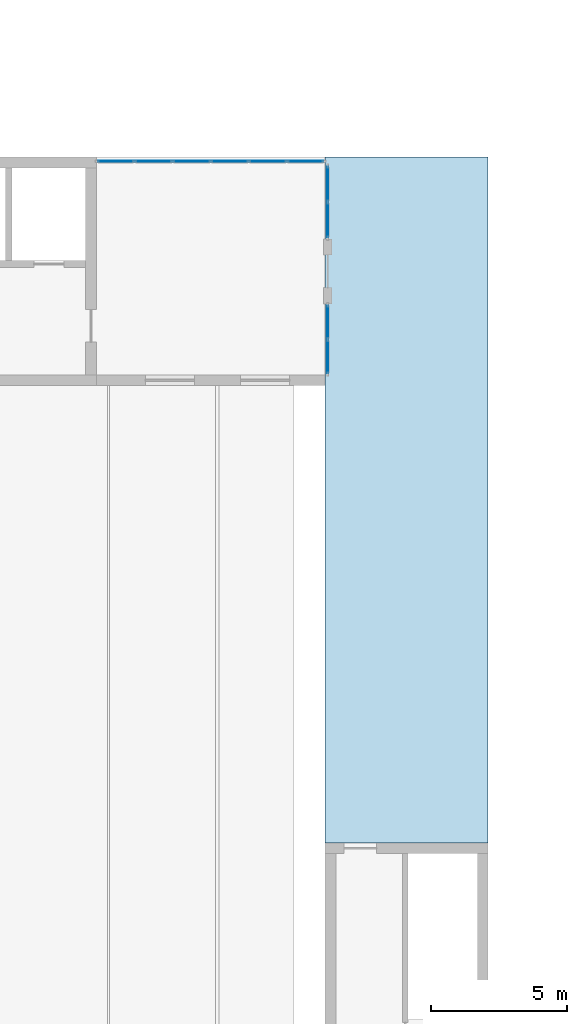
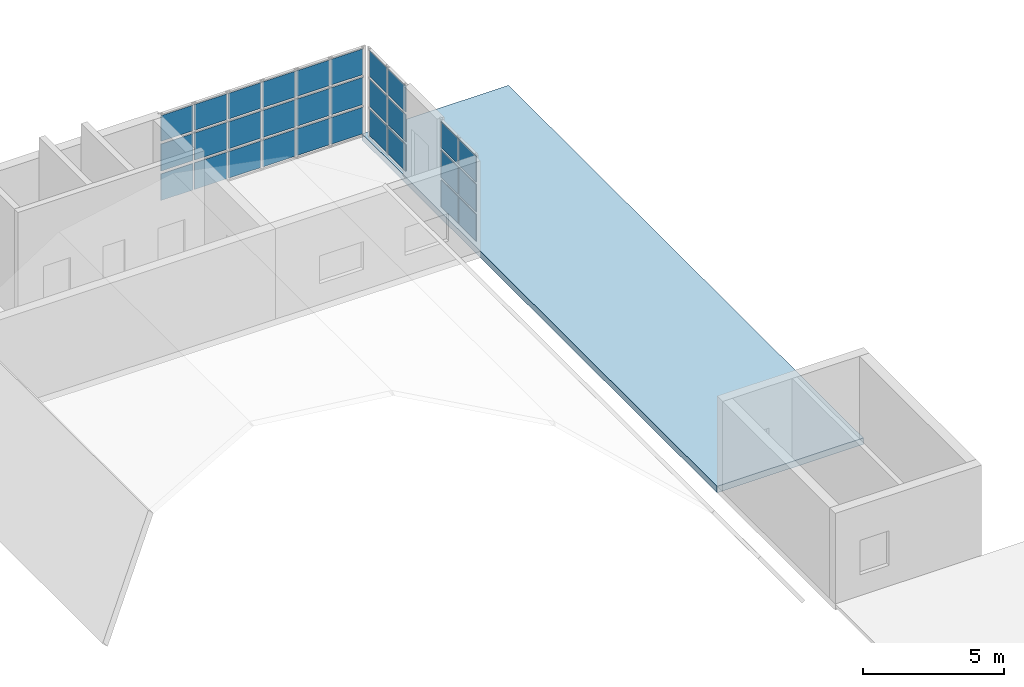
# One storey, part 57 of 100: 30 plates, 1 slab, 3 elements without a shape of their own.
"""IFC4 building model written with IfcOpenShell, lengths in metres."""

from ifc_helpers import new_model, si_unit, direction, frame, origin, origin_2d, place, context, subcontext, project, spatial, polyline, rectangle, outline, extrude, material, layer, layer_set, type_object, element, aggregate, save


model = new_model("IFC4")

# Units and contexts
model_context = context("Model", 3, precision=1e-05, world=origin(), true_north=direction((0.0, 1.0)))
body_context = subcontext(model_context, "Body", "Model", "MODEL_VIEW")
ifc_project = project(units=[si_unit("LENGTHUNIT", "METRE"), si_unit("AREAUNIT", "SQUARE_METRE"), si_unit("VOLUMEUNIT", "CUBIC_METRE"), si_unit("PLANEANGLEUNIT", "RADIAN"), si_unit("MASSUNIT", "GRAM", prefix="KILO")], contexts=[model_context])

# Site, building, storey
site_placement = place(None, origin())
site = spatial("IfcSite", under=ifc_project, at=site_placement, CompositionType="ELEMENT")
building_placement = place(site_placement, origin())
building = spatial("IfcBuilding", under=site, at=building_placement, Name="Cresset Court Congress Hotel", CompositionType="ELEMENT")
storey_placement = place(building_placement, frame((0.0, 0.0, 10.199951171875)))
storey = spatial("IfcBuildingStorey", under=building, at=storey_placement, Name="L02", CompositionType="ELEMENT", Elevation=10.199951171875)

# Curtain wall, plates
ifc_material_1 = material(Name="Aluminium frame with insulated glass", Category="aluminium")
curtain_wall_type_1 = type_object("IfcCurtainWallType", Name="Curtain wall module 1400", PredefinedType="NOTDEFINED", material=ifc_material_1)
curtain_wall_1_placement = place(storey_placement, origin())
curtain_wall_1 = element("IfcCurtainWall", 1, at=curtain_wall_1_placement, inside=storey, type_object=curtain_wall_type_1, Name="Curtain wall N", PredefinedType="NOTDEFINED")
ifc_material_2 = material(Name="Laminated glass", Category="glass")
ifc_layer_1 = layer(ifc_material_2, 0.028076171875)
ifc_layer_set_1 = layer_set([ifc_layer_1], Name="Curtain wall glass panel 28")
plate_type = type_object("IfcPlateType", Name="Curtain wall glass panel 28", PredefinedType="CURTAIN_PANEL", material=ifc_layer_set_1)
plate_1_placement = place(storey_placement, frame((143.514892578125, 109.050048828125, 0.1201171875), z_axis=(0.0, 0.0, 1.0), x_axis=(1.0, 0.0, 0.0)))
plate_1 = element("IfcPlate", 2, at=plate_1_placement, type_object=plate_type, Name="D-X2 panel 1.1", PredefinedType="CURTAIN_PANEL", context=body_context, shape_type="SweptSolid", body=[
    extrude(rectangle(XDim=1.31005859375, YDim=0.028076171875, at=origin_2d()), origin(), (0.0, 0.0, 1.0), 1.153076171875),
])
plate_2_placement = place(storey_placement, frame((143.514892578125, 109.050048828125, 1.39306640625), z_axis=(0.0, 0.0, 1.0), x_axis=(1.0, 0.0, 0.0)))
plate_2 = element("IfcPlate", 3, at=plate_2_placement, type_object=plate_type, Name="D-X2 panel 1.2", PredefinedType="CURTAIN_PANEL", context=body_context, shape_type="SweptSolid", body=[
    extrude(rectangle(XDim=1.31005859375, YDim=0.028076171875, at=origin_2d()), origin(), (0.0, 0.0, 1.0), 1.173095703125),
])
plate_3_placement = place(storey_placement, frame((143.514892578125, 109.050048828125, 2.68603515625), z_axis=(0.0, 0.0, 1.0), x_axis=(1.0, 0.0, 0.0)))
plate_3 = element("IfcPlate", 4, at=plate_3_placement, type_object=plate_type, Name="D-X2 panel 1.3", PredefinedType="CURTAIN_PANEL", context=body_context, shape_type="SweptSolid", body=[
    extrude(rectangle(XDim=1.31005859375, YDim=0.028076171875, at=origin_2d()), origin(), (0.0, 0.0, 1.0), 1.114013671875),
])
plate_4_placement = place(storey_placement, frame((144.89990234375, 109.050048828125, 0.1201171875), z_axis=(0.0, 0.0, 1.0), x_axis=(1.0, 0.0, 0.0)))
plate_4 = element("IfcPlate", 5, at=plate_4_placement, type_object=plate_type, Name="D-X2 panel 2.1", PredefinedType="CURTAIN_PANEL", context=body_context, shape_type="SweptSolid", body=[
    extrude(rectangle(XDim=1.340087890625, YDim=0.028076171875, at=origin_2d()), origin(), (0.0, 0.0, 1.0), 1.153076171875),
])
plate_5_placement = place(storey_placement, frame((144.89990234375, 109.050048828125, 1.39306640625), z_axis=(0.0, 0.0, 1.0), x_axis=(1.0, 0.0, 0.0)))
plate_5 = element("IfcPlate", 6, at=plate_5_placement, type_object=plate_type, Name="D-X2 panel 2.2", PredefinedType="CURTAIN_PANEL", context=body_context, shape_type="SweptSolid", body=[
    extrude(rectangle(XDim=1.340087890625, YDim=0.028076171875, at=origin_2d()), origin(), (0.0, 0.0, 1.0), 1.173095703125),
])
plate_6_placement = place(storey_placement, frame((144.89990234375, 109.050048828125, 2.68603515625), z_axis=(0.0, 0.0, 1.0), x_axis=(1.0, 0.0, 0.0)))
plate_6 = element("IfcPlate", 7, at=plate_6_placement, type_object=plate_type, Name="D-X2 panel 2.3", PredefinedType="CURTAIN_PANEL", context=body_context, shape_type="SweptSolid", body=[
    extrude(rectangle(XDim=1.340087890625, YDim=0.028076171875, at=origin_2d()), origin(), (0.0, 0.0, 1.0), 1.114013671875),
])
plate_7_placement = place(storey_placement, frame((146.300048828125, 109.050048828125, 0.1201171875), z_axis=(0.0, 0.0, 1.0), x_axis=(1.0, 0.0, 0.0)))
plate_7 = element("IfcPlate", 8, at=plate_7_placement, type_object=plate_type, Name="D-X2 panel 3.1", PredefinedType="CURTAIN_PANEL", context=body_context, shape_type="SweptSolid", body=[
    extrude(rectangle(XDim=1.340087890625, YDim=0.028076171875, at=origin_2d()), origin(), (0.0, 0.0, 1.0), 1.153076171875),
])
plate_8_placement = place(storey_placement, frame((146.300048828125, 109.050048828125, 1.39306640625), z_axis=(0.0, 0.0, 1.0), x_axis=(1.0, 0.0, 0.0)))
plate_8 = element("IfcPlate", 9, at=plate_8_placement, type_object=plate_type, Name="D-X2 panel 3.2", PredefinedType="CURTAIN_PANEL", context=body_context, shape_type="SweptSolid", body=[
    extrude(rectangle(XDim=1.340087890625, YDim=0.028076171875, at=origin_2d()), origin(), (0.0, 0.0, 1.0), 1.173095703125),
])
plate_9_placement = place(storey_placement, frame((146.300048828125, 109.050048828125, 2.68603515625), z_axis=(0.0, 0.0, 1.0), x_axis=(1.0, 0.0, 0.0)))
plate_9 = element("IfcPlate", 10, at=plate_9_placement, type_object=plate_type, Name="D-X2 panel 3.3", PredefinedType="CURTAIN_PANEL", context=body_context, shape_type="SweptSolid", body=[
    extrude(rectangle(XDim=1.340087890625, YDim=0.028076171875, at=origin_2d()), origin(), (0.0, 0.0, 1.0), 1.114013671875),
])
plate_10_placement = place(storey_placement, frame((147.699951171875, 109.050048828125, 0.1201171875), z_axis=(0.0, 0.0, 1.0), x_axis=(1.0, 0.0, 0.0)))
plate_10 = element("IfcPlate", 11, at=plate_10_placement, type_object=plate_type, Name="D-X2 panel 4.1", PredefinedType="CURTAIN_PANEL", context=body_context, shape_type="SweptSolid", body=[
    extrude(rectangle(XDim=1.340087890625, YDim=0.028076171875, at=origin_2d()), origin(), (0.0, 0.0, 1.0), 1.153076171875),
])
plate_11_placement = place(storey_placement, frame((147.699951171875, 109.050048828125, 1.39306640625), z_axis=(0.0, 0.0, 1.0), x_axis=(1.0, 0.0, 0.0)))
plate_11 = element("IfcPlate", 12, at=plate_11_placement, type_object=plate_type, Name="D-X2 panel 4.2", PredefinedType="CURTAIN_PANEL", context=body_context, shape_type="SweptSolid", body=[
    extrude(rectangle(XDim=1.340087890625, YDim=0.028076171875, at=origin_2d()), origin(), (0.0, 0.0, 1.0), 1.173095703125),
])
plate_12_placement = place(storey_placement, frame((147.699951171875, 109.050048828125, 2.68603515625), z_axis=(0.0, 0.0, 1.0), x_axis=(1.0, 0.0, 0.0)))
plate_12 = element("IfcPlate", 13, at=plate_12_placement, type_object=plate_type, Name="D-X2 panel 4.3", PredefinedType="CURTAIN_PANEL", context=body_context, shape_type="SweptSolid", body=[
    extrude(rectangle(XDim=1.340087890625, YDim=0.028076171875, at=origin_2d()), origin(), (0.0, 0.0, 1.0), 1.114013671875),
])
plate_13_placement = place(storey_placement, frame((149.10009765625, 109.050048828125, 0.1201171875), z_axis=(0.0, 0.0, 1.0), x_axis=(1.0, 0.0, 0.0)))
plate_13 = element("IfcPlate", 14, at=plate_13_placement, type_object=plate_type, Name="D-X2 panel 5.1", PredefinedType="CURTAIN_PANEL", context=body_context, shape_type="SweptSolid", body=[
    extrude(rectangle(XDim=1.340087890625, YDim=0.028076171875, at=origin_2d()), origin(), (0.0, 0.0, 1.0), 1.153076171875),
])
plate_14_placement = place(storey_placement, frame((149.10009765625, 109.050048828125, 1.39306640625), z_axis=(0.0, 0.0, 1.0), x_axis=(1.0, 0.0, 0.0)))
plate_14 = element("IfcPlate", 15, at=plate_14_placement, type_object=plate_type, Name="D-X2 panel 5.2", PredefinedType="CURTAIN_PANEL", context=body_context, shape_type="SweptSolid", body=[
    extrude(rectangle(XDim=1.340087890625, YDim=0.028076171875, at=origin_2d()), origin(), (0.0, 0.0, 1.0), 1.173095703125),
])
plate_15_placement = place(storey_placement, frame((149.10009765625, 109.050048828125, 2.68603515625), z_axis=(0.0, 0.0, 1.0), x_axis=(1.0, 0.0, 0.0)))
plate_15 = element("IfcPlate", 16, at=plate_15_placement, type_object=plate_type, Name="D-X2 panel 5.3", PredefinedType="CURTAIN_PANEL", context=body_context, shape_type="SweptSolid", body=[
    extrude(rectangle(XDim=1.340087890625, YDim=0.028076171875, at=origin_2d()), origin(), (0.0, 0.0, 1.0), 1.114013671875),
])
plate_16_placement = place(storey_placement, frame((150.485107421875, 109.050048828125, 0.1201171875), z_axis=(0.0, 0.0, 1.0), x_axis=(1.0, 0.0, 0.0)))
plate_16 = element("IfcPlate", 17, at=plate_16_placement, type_object=plate_type, Name="D-X2 panel 6.1", PredefinedType="CURTAIN_PANEL", context=body_context, shape_type="SweptSolid", body=[
    extrude(rectangle(XDim=1.31005859375, YDim=0.028076171875, at=origin_2d()), origin(), (0.0, 0.0, 1.0), 1.153076171875),
])
plate_17_placement = place(storey_placement, frame((150.485107421875, 109.050048828125, 1.39306640625), z_axis=(0.0, 0.0, 1.0), x_axis=(1.0, 0.0, 0.0)))
plate_17 = element("IfcPlate", 18, at=plate_17_placement, type_object=plate_type, Name="D-X2 panel 6.2", PredefinedType="CURTAIN_PANEL", context=body_context, shape_type="SweptSolid", body=[
    extrude(rectangle(XDim=1.31005859375, YDim=0.028076171875, at=origin_2d()), origin(), (0.0, 0.0, 1.0), 1.173095703125),
])
plate_18_placement = place(storey_placement, frame((150.485107421875, 109.050048828125, 2.68603515625), z_axis=(0.0, 0.0, 1.0), x_axis=(1.0, 0.0, 0.0)))
plate_18 = element("IfcPlate", 19, at=plate_18_placement, type_object=plate_type, Name="D-X2 panel 6.3", PredefinedType="CURTAIN_PANEL", context=body_context, shape_type="SweptSolid", body=[
    extrude(rectangle(XDim=1.31005859375, YDim=0.028076171875, at=origin_2d()), origin(), (0.0, 0.0, 1.0), 1.114013671875),
])
aggregate(curtain_wall_1, [plate_1, plate_2, plate_3, plate_4, plate_5, plate_6, plate_7, plate_8, plate_9, plate_10, plate_11, plate_12, plate_13, plate_14, plate_15, plate_16, plate_17, plate_18])

ifc_material_3 = material(Name="Aluminium frame with insulated glass", Category="aluminium")
curtain_wall_type_2 = type_object("IfcCurtainWallType", Name="Curtain wall module 1300", PredefinedType="NOTDEFINED", material=ifc_material_3)
curtain_wall_2_placement = place(storey_placement, origin())
curtain_wall_2 = element("IfcCurtainWall", 20, at=curtain_wall_2_placement, inside=storey, type_object=curtain_wall_type_2, Name="Curtain wall E1", PredefinedType="NOTDEFINED")
plate_19_placement = place(storey_placement, frame((151.300048828125, 101.864990234375, 0.1201171875), z_axis=(0.0, 0.0, 1.0), x_axis=(0.0, 1.0, 0.0)))
plate_19 = element("IfcPlate", 21, at=plate_19_placement, type_object=plate_type, Name="E-X1 panel 1.1", PredefinedType="CURTAIN_PANEL", context=body_context, shape_type="SweptSolid", body=[
    extrude(rectangle(XDim=1.2099609375, YDim=0.028076171875, at=origin_2d()), origin(), (0.0, 0.0, 1.0), 1.153076171875),
])
plate_20_placement = place(storey_placement, frame((151.300048828125, 101.864990234375, 1.39306640625), z_axis=(0.0, 0.0, 1.0), x_axis=(0.0, 1.0, 0.0)))
plate_20 = element("IfcPlate", 22, at=plate_20_placement, type_object=plate_type, Name="E-X1 panel 1.2", PredefinedType="CURTAIN_PANEL", context=body_context, shape_type="SweptSolid", body=[
    extrude(rectangle(XDim=1.2099609375, YDim=0.028076171875, at=origin_2d()), origin(), (0.0, 0.0, 1.0), 1.173095703125),
])
plate_21_placement = place(storey_placement, frame((151.300048828125, 101.864990234375, 2.68603515625), z_axis=(0.0, 0.0, 1.0), x_axis=(0.0, 1.0, 0.0)))
plate_21 = element("IfcPlate", 23, at=plate_21_placement, type_object=plate_type, Name="E-X1 panel 1.3", PredefinedType="CURTAIN_PANEL", context=body_context, shape_type="SweptSolid", body=[
    extrude(rectangle(XDim=1.2099609375, YDim=0.028076171875, at=origin_2d()), origin(), (0.0, 0.0, 1.0), 1.114013671875),
])
plate_22_placement = place(storey_placement, frame((151.300048828125, 103.135009765625, 0.1201171875), z_axis=(0.0, 0.0, 1.0), x_axis=(0.0, 1.0, 0.0)))
plate_22 = element("IfcPlate", 24, at=plate_22_placement, type_object=plate_type, Name="E-X1 panel 2.1", PredefinedType="CURTAIN_PANEL", context=body_context, shape_type="SweptSolid", body=[
    extrude(rectangle(XDim=1.2099609375, YDim=0.028076171875, at=origin_2d()), origin(), (0.0, 0.0, 1.0), 1.153076171875),
])
plate_23_placement = place(storey_placement, frame((151.300048828125, 103.135009765625, 1.39306640625), z_axis=(0.0, 0.0, 1.0), x_axis=(0.0, 1.0, 0.0)))
plate_23 = element("IfcPlate", 25, at=plate_23_placement, type_object=plate_type, Name="E-X1 panel 2.2", PredefinedType="CURTAIN_PANEL", context=body_context, shape_type="SweptSolid", body=[
    extrude(rectangle(XDim=1.2099609375, YDim=0.028076171875, at=origin_2d()), origin(), (0.0, 0.0, 1.0), 1.173095703125),
])
plate_24_placement = place(storey_placement, frame((151.300048828125, 103.135009765625, 2.68603515625), z_axis=(0.0, 0.0, 1.0), x_axis=(0.0, 1.0, 0.0)))
plate_24 = element("IfcPlate", 26, at=plate_24_placement, type_object=plate_type, Name="E-X1 panel 2.3", PredefinedType="CURTAIN_PANEL", context=body_context, shape_type="SweptSolid", body=[
    extrude(rectangle(XDim=1.2099609375, YDim=0.028076171875, at=origin_2d()), origin(), (0.0, 0.0, 1.0), 1.114013671875),
])
aggregate(curtain_wall_2, [plate_19, plate_20, plate_21, plate_22, plate_23, plate_24])

ifc_material_4 = material(Name="Aluminium frame with insulated glass", Category="aluminium")
curtain_wall_type_3 = type_object("IfcCurtainWallType", Name="Curtain wall module 1350", PredefinedType="NOTDEFINED", material=ifc_material_4)
curtain_wall_3_placement = place(storey_placement, origin())
curtain_wall_3 = element("IfcCurtainWall", 27, at=curtain_wall_3_placement, inside=storey, type_object=curtain_wall_type_3, Name="Curtain wall E2", PredefinedType="NOTDEFINED")
plate_25_placement = place(storey_placement, frame((151.300048828125, 106.889892578125, 0.1201171875), z_axis=(0.0, 0.0, 1.0), x_axis=(0.0, 1.0, 0.0)))
plate_25 = element("IfcPlate", 28, at=plate_25_placement, type_object=plate_type, Name="E-X2 panel 1.1", PredefinedType="CURTAIN_PANEL", context=body_context, shape_type="SweptSolid", body=[
    extrude(rectangle(XDim=1.260009765625, YDim=0.028076171875, at=origin_2d()), origin(), (0.0, 0.0, 1.0), 1.153076171875),
])
plate_26_placement = place(storey_placement, frame((151.300048828125, 106.889892578125, 1.39306640625), z_axis=(0.0, 0.0, 1.0), x_axis=(0.0, 1.0, 0.0)))
plate_26 = element("IfcPlate", 29, at=plate_26_placement, type_object=plate_type, Name="E-X2 panel 1.2", PredefinedType="CURTAIN_PANEL", context=body_context, shape_type="SweptSolid", body=[
    extrude(rectangle(XDim=1.260009765625, YDim=0.028076171875, at=origin_2d()), origin(), (0.0, 0.0, 1.0), 1.173095703125),
])
plate_27_placement = place(storey_placement, frame((151.300048828125, 106.889892578125, 2.68603515625), z_axis=(0.0, 0.0, 1.0), x_axis=(0.0, 1.0, 0.0)))
plate_27 = element("IfcPlate", 30, at=plate_27_placement, type_object=plate_type, Name="E-X2 panel 1.3", PredefinedType="CURTAIN_PANEL", context=body_context, shape_type="SweptSolid", body=[
    extrude(rectangle(XDim=1.260009765625, YDim=0.028076171875, at=origin_2d()), origin(), (0.0, 0.0, 1.0), 1.114013671875),
])
plate_28_placement = place(storey_placement, frame((151.300048828125, 108.2099609375, 0.1201171875), z_axis=(0.0, 0.0, 1.0), x_axis=(0.0, 1.0, 0.0)))
plate_28 = element("IfcPlate", 31, at=plate_28_placement, type_object=plate_type, Name="E-X2 panel 2.1", PredefinedType="CURTAIN_PANEL", context=body_context, shape_type="SweptSolid", body=[
    extrude(rectangle(XDim=1.260009765625, YDim=0.028076171875, at=origin_2d()), origin(), (0.0, 0.0, 1.0), 1.153076171875),
])
plate_29_placement = place(storey_placement, frame((151.300048828125, 108.2099609375, 1.39306640625), z_axis=(0.0, 0.0, 1.0), x_axis=(0.0, 1.0, 0.0)))
plate_29 = element("IfcPlate", 32, at=plate_29_placement, type_object=plate_type, Name="E-X2 panel 2.2", PredefinedType="CURTAIN_PANEL", context=body_context, shape_type="SweptSolid", body=[
    extrude(rectangle(XDim=1.260009765625, YDim=0.028076171875, at=origin_2d()), origin(), (0.0, 0.0, 1.0), 1.173095703125),
])
plate_30_placement = place(storey_placement, frame((151.300048828125, 108.2099609375, 2.68603515625), z_axis=(0.0, 0.0, 1.0), x_axis=(0.0, 1.0, 0.0)))
plate_30 = element("IfcPlate", 33, at=plate_30_placement, type_object=plate_type, Name="E-X2 panel 2.3", PredefinedType="CURTAIN_PANEL", context=body_context, shape_type="SweptSolid", body=[
    extrude(rectangle(XDim=1.260009765625, YDim=0.028076171875, at=origin_2d()), origin(), (0.0, 0.0, 1.0), 1.114013671875),
])
aggregate(curtain_wall_3, [plate_25, plate_26, plate_27, plate_28, plate_29, plate_30])

# Slab
ifc_material_5 = material(Name="Concrete C35", Category="concrete")
ifc_layer_2 = layer(ifc_material_5, 0.280029296875)
ifc_layer_set_2 = layer_set([ifc_layer_2], Name="RC roof plate 280 C35")
slab_type = type_object("IfcSlabType", Name="RC roof plate 280 C35", PredefinedType="ROOF", material=ifc_layer_set_2)
slab_placement = place(storey_placement, frame((0.0, 0.0, -0.280029296875)))
element("IfcSlab", 34, at=slab_placement, inside=storey, type_object=slab_type, Name="Spa roof terrace slab", PredefinedType="ROOF", context=body_context, shape_type="SweptSolid", body=[
    extrude(outline(polyline([(151.199951171875, 84.0), (157.199951171875, 84.0), (157.199951171875, 109.199951171875), (151.199951171875, 109.199951171875), (151.199951171875, 84.0)])), origin(), (0.0, 0.0, 1.0), 0.280029296875),
])

save(model, "model.ifc")
